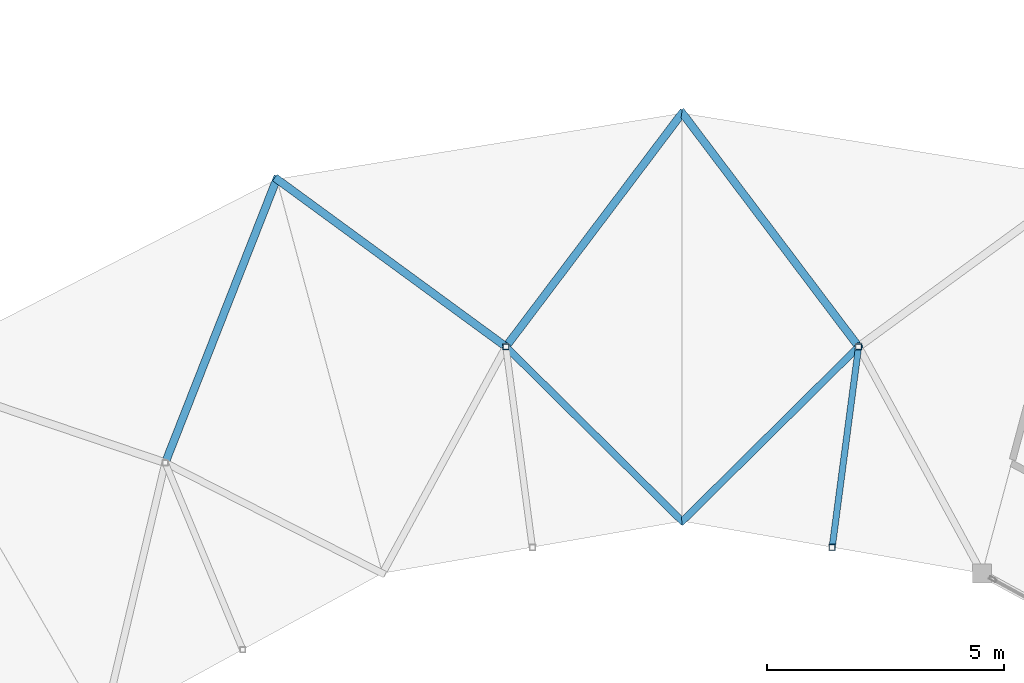
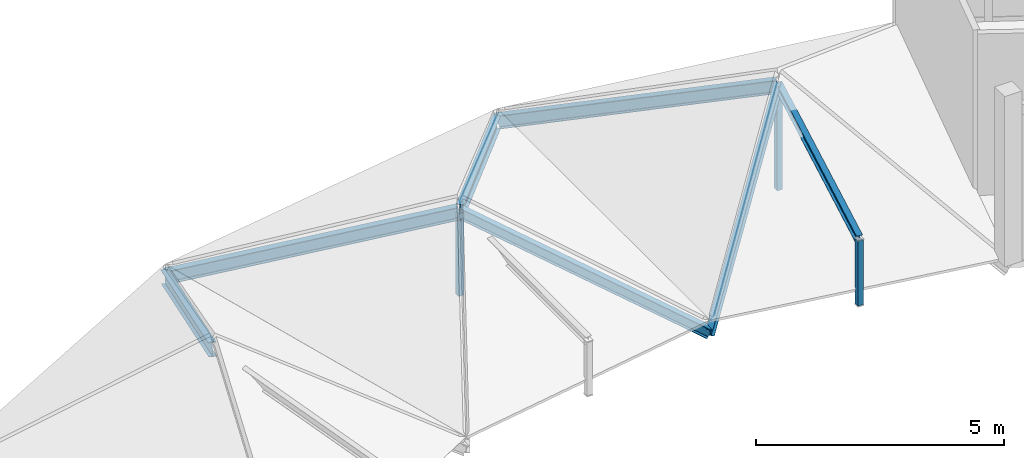
# One storey, part 31 of 66: 10 members.
"""IFC4 building model written with IfcOpenShell, lengths in metres."""

from ifc_helpers import new_model, si_unit, direction, frame, origin, origin_2d, place, context, subcontext, project, spatial, hollow_rectangle, i_section, extrude, material, material_profile, profile_set, type_object, element, save


model = new_model("IFC4")

# Units and contexts
model_context = context("Model", 3, precision=1e-05, world=origin(), true_north=direction((0.0, 1.0)))
body_context = subcontext(model_context, "Body", "Model", "MODEL_VIEW")
ifc_project = project(units=[si_unit("LENGTHUNIT", "METRE"), si_unit("AREAUNIT", "SQUARE_METRE"), si_unit("VOLUMEUNIT", "CUBIC_METRE"), si_unit("PLANEANGLEUNIT", "RADIAN"), si_unit("MASSUNIT", "GRAM", prefix="KILO")], contexts=[model_context])

# Site, building, storey
site_placement = place(None, origin())
site = spatial("IfcSite", under=ifc_project, at=site_placement, CompositionType="ELEMENT")
building_placement = place(site_placement, origin())
building = spatial("IfcBuilding", under=site, at=building_placement, Name="Karori Crest Natural Sciences Institute", CompositionType="ELEMENT")
storey_placement = place(building_placement, frame((0.0, 0.0, 30.10009765625)))
storey = spatial("IfcBuildingStorey", under=building, at=storey_placement, Name="L07", CompositionType="ELEMENT", Elevation=30.10009765625)

# Members
ifc_material_1 = material(Name="Structural steel AS/NZS 3679.1 Grade 350", Category="steel")
ifc_material_profile_1 = material_profile(ifc_material_1, i_section(OverallWidth=0.166015625, OverallDepth=0.306884765625, WebThickness=0.006591796875, FlangeThickness=0.01171875, FilletRadius=0.010986328125, at=origin_2d()), Name="310UB46.2")
ifc_profile_set_1 = profile_set([ifc_material_profile_1], Name="Structural steel AS/NZS 3679.1 Grade 350")
member_type_1 = type_object("IfcMemberType", Name="MT-06", PredefinedType="RAFTER", material=ifc_profile_set_1)
member_1_placement = place(storey_placement, frame((66.39990234375, 90.699951171875, -0.260009765625), z_axis=(0.555966732871, -0.736757334824, 0.384824143636), x_axis=(0.798229021671, 0.602354072752, 0.0)))
element("IfcMember", 1, at=member_1_placement, inside=storey, type_object=member_type_1, Name="Member M-0067", PredefinedType="RAFTER", context=body_context, shape_type="SweptSolid", body=[
    extrude(i_section(OverallWidth=0.166015625, OverallDepth=0.306884765625, WebThickness=0.006591796875, FlangeThickness=0.01171875, FilletRadius=0.010986328125, at=origin_2d()), origin(), (0.0, 0.0, 1.0), 6.680419921875),
])
member_2_placement = place(storey_placement, frame((66.39990234375, 90.699951171875, -0.260009765625), z_axis=(-0.571510460627, -0.75740539615, 0.31577343029), x_axis=(0.798248059509, -0.602328843316, 0.0)))
element("IfcMember", 2, at=member_2_placement, inside=storey, type_object=member_type_1, Name="Member M-0073", PredefinedType="RAFTER", context=body_context, shape_type="SweptSolid", body=[
    extrude(i_section(OverallWidth=0.166015625, OverallDepth=0.306884765625, WebThickness=0.006591796875, FlangeThickness=0.01171875, FilletRadius=0.010986328125, at=origin_2d()), origin(), (0.0, 0.0, 1.0), 6.498291015625),
])
member_3_placement = place(storey_placement, frame((57.85888671875, 89.309814453125, -0.260009765625), z_axis=(0.763379950761, -0.558519844614, 0.324509836443), x_axis=(0.590474979754, 0.807055944953, 0.0)))
element("IfcMember", 3, at=member_3_placement, inside=storey, type_object=member_type_1, Name="Member M-0074", PredefinedType="RAFTER", context=body_context, shape_type="SweptSolid", body=[
    extrude(i_section(OverallWidth=0.166015625, OverallDepth=0.306884765625, WebThickness=0.006591796875, FlangeThickness=0.01171875, FilletRadius=0.010986328125, at=origin_2d()), origin(), (0.0, 0.0, 1.0), 6.323486328125),
])
member_4_placement = place(storey_placement, frame((57.85888671875, 89.309814453125, -0.260009765625), z_axis=(-0.338005316322, -0.860425096067, 0.381341133627), x_axis=(0.930758425028, -0.365634727891, 0.0)))
element("IfcMember", 4, at=member_4_placement, inside=storey, type_object=member_type_1, Name="Member M-0080", PredefinedType="RAFTER", context=body_context, shape_type="SweptSolid", body=[
    extrude(i_section(OverallWidth=0.166015625, OverallDepth=0.306884765625, WebThickness=0.006591796875, FlangeThickness=0.01171875, FilletRadius=0.010986328125, at=origin_2d()), origin(), (0.0, 0.0, 1.0), 6.9462890625),
])
ifc_material_profile_2 = material_profile(ifc_material_1, i_section(OverallWidth=0.14599609375, OverallDepth=0.256103515625, WebThickness=0.00634765625, FlangeThickness=0.010986328125, FilletRadius=0.009033203125, at=origin_2d()), Name="250UB37.3")
ifc_profile_set_2 = profile_set([ifc_material_profile_2], Name="Structural steel AS/NZS 3679.1 Grade 350")
member_type_2 = type_object("IfcMemberType", Name="MT-07", PredefinedType="RAFTER", material=ifc_profile_set_2)
member_5_placement = place(storey_placement, frame((66.39990234375, 82.10009765625, -0.260009765625), z_axis=(0.637610599526, 0.631407590998, 0.441335674292), x_axis=(-0.703642010732, 0.710554657104, 0.0)))
element("IfcMember", 5, at=member_5_placement, inside=storey, type_object=member_type_2, Name="Member M-0069", PredefinedType="RAFTER", context=body_context, shape_type="SweptSolid", body=[
    extrude(i_section(OverallWidth=0.14599609375, OverallDepth=0.256103515625, WebThickness=0.00634765625, FlangeThickness=0.010986328125, FilletRadius=0.009033203125, at=origin_2d()), origin(), (0.0, 0.0, 1.0), 5.824951171875),
])
member_6_placement = place(storey_placement, frame((66.39990234375, 82.10009765625, -0.260009765625), z_axis=(-0.66138930768, 0.654998022627, 0.365433679401), x_axis=(-0.703665363547, -0.710531530718, 0.0)))
element("IfcMember", 6, at=member_6_placement, inside=storey, type_object=member_type_2, Name="Member M-0075", PredefinedType="RAFTER", context=body_context, shape_type="SweptSolid", body=[
    extrude(i_section(OverallWidth=0.14599609375, OverallDepth=0.256103515625, WebThickness=0.00634765625, FlangeThickness=0.010986328125, FilletRadius=0.009033203125, at=origin_2d()), origin(), (0.0, 0.0, 1.0), 5.615234375),
])
ifc_material_profile_3 = material_profile(ifc_material_1, i_section(OverallWidth=0.133056640625, OverallDepth=0.202880859375, WebThickness=0.005859375, FlangeThickness=0.0078125, FilletRadius=0.009033203125, at=origin_2d()), Name="200UB25.4")
ifc_profile_set_3 = profile_set([ifc_material_profile_3], Name="Structural steel AS/NZS 3679.1 Grade 350")
member_type_3 = type_object("IfcMemberType", Name="MT-09", PredefinedType="PURLIN", material=ifc_profile_set_3)
member_7_placement = place(storey_placement, frame((69.5576171875, 81.551513671875, 1.27392578125), z_axis=(0.126819478773, 0.963360604001, 0.236332745217), x_axis=(-0.991446106692, 0.130516732738, 0.0)))
element("IfcMember", 7, at=member_7_placement, inside=storey, type_object=member_type_3, Name="Member M-0070", PredefinedType="PURLIN", context=body_context, shape_type="SweptSolid", body=[
    extrude(i_section(OverallWidth=0.133056640625, OverallDepth=0.202880859375, WebThickness=0.005859375, FlangeThickness=0.0078125, FilletRadius=0.009033203125, at=origin_2d()), origin(), (0.0, 0.0, 1.0), 4.38720703125),
])
ifc_material_2 = material(Name="Hollow structural steel AS/NZS 1163 Grade C350", Category="steel")
ifc_material_profile_4 = material_profile(ifc_material_2, hollow_rectangle(XDim=0.125, YDim=0.125, WallThickness=0.006103515625, at=origin_2d()), Name="SHS125x125x6")
ifc_profile_set_4 = profile_set([ifc_material_profile_4], Name="Hollow structural steel AS/NZS 1163 Grade C350")
member_type_4 = type_object("IfcMemberType", Name="MT-20", PredefinedType="STRUT", material=ifc_profile_set_4)
member_8_placement = place(storey_placement, frame((70.114013671875, 85.778076171875, -0.2451171875), z_axis=(0.0, 0.0, 1.0), x_axis=(1.0, 0.0, 0.0)))
element("IfcMember", 8, at=member_8_placement, inside=storey, type_object=member_type_4, Name="Member M-0064", PredefinedType="STRUT", context=body_context, shape_type="SweptSolid", body=[
    extrude(hollow_rectangle(XDim=0.125, YDim=0.125, WallThickness=0.006103515625, at=origin_2d()), origin(), (0.0, 0.0, 1.0), 2.555908203125),
])
member_9_placement = place(storey_placement, frame((69.5576171875, 81.551513671875, -0.322998046875), z_axis=(0.0, 0.0, 1.0), x_axis=(1.0, 0.0, 0.0)))
element("IfcMember", 9, at=member_9_placement, inside=storey, type_object=member_type_4, Name="Member M-0065", PredefinedType="STRUT", context=body_context, shape_type="SweptSolid", body=[
    extrude(hollow_rectangle(XDim=0.125, YDim=0.125, WallThickness=0.006103515625, at=origin_2d()), origin(), (0.0, 0.0, 1.0), 1.596923828125),
])
member_10_placement = place(storey_placement, frame((62.68603515625, 85.778076171875, -0.2451171875), z_axis=(0.0, 0.0, 1.0), x_axis=(1.0, 0.0, 0.0)))
element("IfcMember", 10, at=member_10_placement, inside=storey, type_object=member_type_4, Name="Member M-0071", PredefinedType="STRUT", context=body_context, shape_type="SweptSolid", body=[
    extrude(hollow_rectangle(XDim=0.125, YDim=0.125, WallThickness=0.006103515625, at=origin_2d()), origin(), (0.0, 0.0, 1.0), 2.037109375),
])

save(model, "model.ifc")
